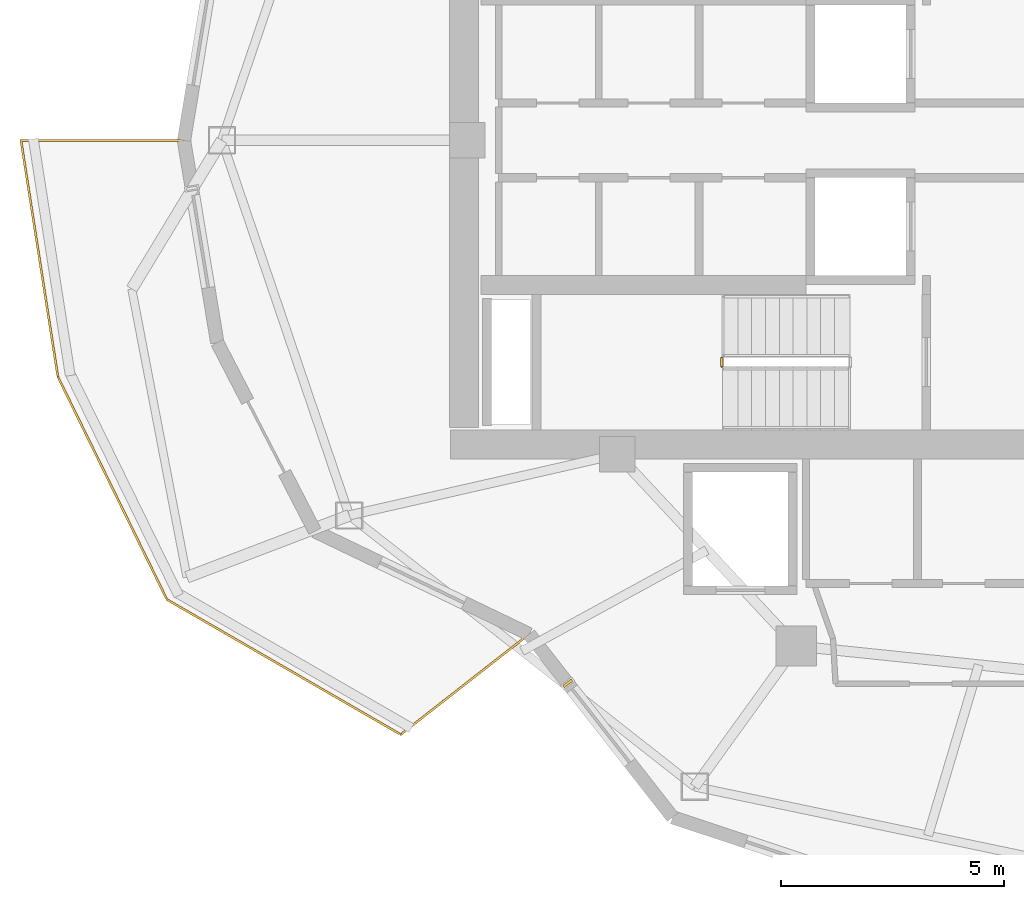
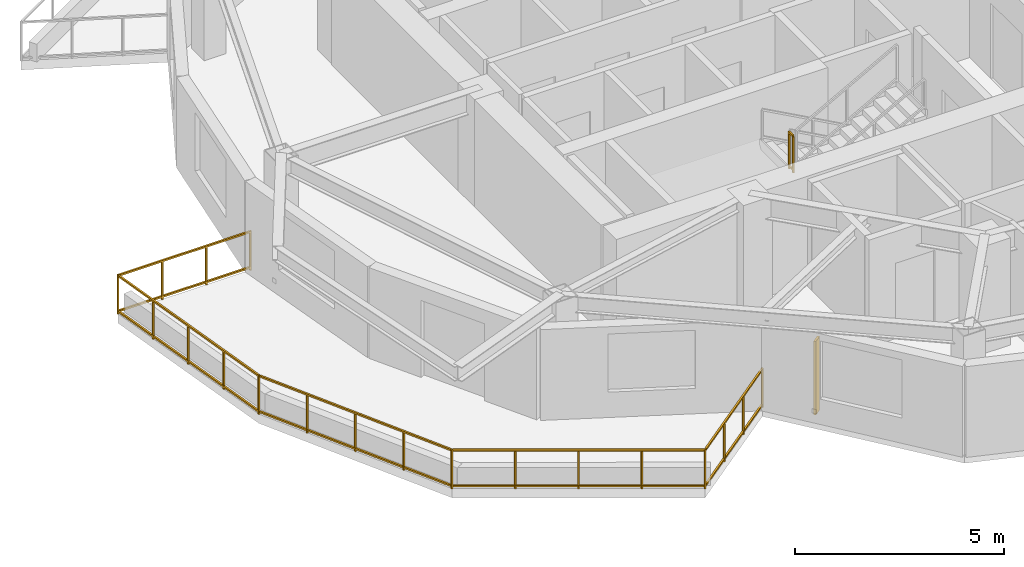
# One storey, part 10 of 14: 2 railings, 1 shading device.
"""IFC4 building model written with IfcOpenShell, lengths in metres."""

from ifc_helpers import new_model, si_unit, direction, frame, origin, origin_2d, place, context, subcontext, project, spatial, rectangle, extrude, material, type_object, element, save


model = new_model("IFC4")

# Units and contexts
model_context = context("Model", 3, precision=1e-05, world=origin(), true_north=direction((0.0, 1.0)))
body_context = subcontext(model_context, "Body", "Model", "MODEL_VIEW")
ifc_project = project(units=[si_unit("LENGTHUNIT", "METRE"), si_unit("AREAUNIT", "SQUARE_METRE"), si_unit("VOLUMEUNIT", "CUBIC_METRE"), si_unit("PLANEANGLEUNIT", "RADIAN"), si_unit("MASSUNIT", "GRAM", prefix="KILO")], contexts=[model_context])

# Site, building, storey
site_placement = place(None, origin())
site = spatial("IfcSite", under=ifc_project, at=site_placement, CompositionType="ELEMENT")
building_placement = place(site_placement, origin())
building = spatial("IfcBuilding", under=site, at=building_placement, Name="Kolvaren Gate Tower and Convention Centre", CompositionType="ELEMENT")
storey_placement = place(building_placement, frame((0.0, 0.0, 173.300048828125)))
storey = spatial("IfcBuildingStorey", under=building, at=storey_placement, Name="L45", CompositionType="ELEMENT", Elevation=173.300048828125)

# Railings
ifc_material_1 = material(Name="Brushed Stainless Steel Grade 316L", Category="steel")
railing_type = type_object("IfcRailingType", Name="ARCH-RL-GUARD-1150", PredefinedType="GUARDRAIL", material=ifc_material_1)
railing_1_placement = place(storey_placement, frame((20.260009765625, 22.1201171875, 1.699951171875)))
element("IfcRailing", 1, at=railing_1_placement, inside=storey, type_object=railing_type, Name="L45 ST-T2 stair guard 2", PredefinedType="GUARDRAIL", context=body_context, shape_type="SweptSolid", body=[
    extrude(rectangle(XDim=0.048095703125, YDim=0.048095703125, at=origin_2d()), frame((0.0, 0.0, 1.076171875), z_axis=(0.0, -1.0, 0.0), x_axis=(1.0, 0.0, 0.0)), (0.0, 0.0, 1.0), 0.2001953125),
    extrude(rectangle(XDim=0.048095703125, YDim=0.048095703125, at=origin_2d()), frame((0.0, 0.0, 0.083984375), z_axis=(0.0, -1.0, 0.0), x_axis=(1.0, 0.0, 0.0)), (0.0, 0.0, 1.0), 0.2001953125),
    extrude(rectangle(XDim=0.0419921875, YDim=0.0419921875, at=origin_2d()), origin(), (0.0, 0.0, 1.0), 1.050048828125),
    extrude(rectangle(XDim=0.0419921875, YDim=0.0419921875, at=origin_2d()), frame((0.0, -0.2001953125, 0.0)), (0.0, 0.0, 1.0), 1.050048828125),
])
railing_2_placement = place(storey_placement, frame((8.1875, 27.0, 0.0)))
element("IfcRailing", 2, at=railing_2_placement, inside=storey, type_object=railing_type, Name="Tower L45 Terrace Perimeter Guardrail GR-2", PredefinedType="GUARDRAIL", context=body_context, shape_type="SweptSolid", body=[
    extrude(rectangle(XDim=0.048095703125, YDim=0.048095703125, at=origin_2d()), frame((-0.028076171875, 0.0, 1.1259765625), z_axis=(-1.0, 0.0, 0.0), x_axis=(0.0, -1.0, 0.0)), (0.0, 0.0, 1.0), 3.603759765625),
    extrude(rectangle(XDim=0.048095703125, YDim=0.048095703125, at=origin_2d()), frame((-0.028076171875, 0.0, 0.083984375), z_axis=(-1.0, 0.0, 0.0), x_axis=(0.0, -1.0, 0.0)), (0.0, 0.0, 1.0), 3.603759765625),
    extrude(rectangle(XDim=0.048095703125, YDim=0.048095703125, at=origin_2d()), frame((-3.655517578125, -0.02783203125, 1.1259765625), z_axis=(0.154200861408, -0.988039520637, 0.0), x_axis=(0.988039520637, 0.154200861408, 0.0)), (0.0, 0.0, 1.0), 5.3173828125),
    extrude(rectangle(XDim=0.048095703125, YDim=0.048095703125, at=origin_2d()), frame((-3.655517578125, -0.02783203125, 0.083984375), z_axis=(0.154200861408, -0.988039520637, 0.0), x_axis=(0.988039520637, 0.154200861408, 0.0)), (0.0, 0.0, 1.0), 5.3173828125),
    extrude(rectangle(XDim=0.048095703125, YDim=0.048095703125, at=origin_2d()), frame((-2.81884765625, -5.33447265625, 1.1259765625), z_axis=(0.439655234701, -0.898166618507, 0.0), x_axis=(0.898166618507, 0.439655234701, 0.0)), (0.0, 0.0, 1.0), 5.51123046875),
    extrude(rectangle(XDim=0.048095703125, YDim=0.048095703125, at=origin_2d()), frame((-2.81884765625, -5.33447265625, 0.083984375), z_axis=(0.439655234701, -0.898166618507, 0.0), x_axis=(0.898166618507, 0.439655234701, 0.0)), (0.0, 0.0, 1.0), 5.51123046875),
    extrude(rectangle(XDim=0.048095703125, YDim=0.048095703125, at=origin_2d()), frame((-0.359375, -10.32373046875, 1.1259765625), z_axis=(0.866075571306, -0.499913097234, 0.0), x_axis=(0.499913097234, 0.866075571306, 0.0)), (0.0, 0.0, 1.0), 6.004150390625),
    extrude(rectangle(XDim=0.048095703125, YDim=0.048095703125, at=origin_2d()), frame((-0.359375, -10.32373046875, 0.083984375), z_axis=(0.866075571306, -0.499913097234, 0.0), x_axis=(0.499913097234, 0.866075571306, 0.0)), (0.0, 0.0, 1.0), 6.004150390625),
    extrude(rectangle(XDim=0.048095703125, YDim=0.048095703125, at=origin_2d()), frame((4.88720703125, -13.322021484375, 1.1259765625), z_axis=(0.787988976981, 0.61568934712, 0.0), x_axis=(-0.61568934712, 0.787988976981, 0.0)), (0.0, 0.0, 1.0), 3.60400390625),
    extrude(rectangle(XDim=0.048095703125, YDim=0.048095703125, at=origin_2d()), frame((4.88720703125, -13.322021484375, 0.083984375), z_axis=(0.787988976981, 0.61568934712, 0.0), x_axis=(-0.61568934712, 0.787988976981, 0.0)), (0.0, 0.0, 1.0), 3.60400390625),
    extrude(rectangle(XDim=0.0419921875, YDim=0.0419921875, at=origin_2d()), origin(), (0.0, 0.0, 1.0), 1.14990234375),
    extrude(rectangle(XDim=0.0419921875, YDim=0.0419921875, at=origin_2d()), frame((-3.659912109375, 0.0, 0.0)), (0.0, 0.0, 1.0), 1.14990234375),
    extrude(rectangle(XDim=0.0419921875, YDim=0.0419921875, at=origin_2d()), frame((-1.219970703125, 0.0, 0.0)), (0.0, 0.0, 1.0), 1.099853515625),
    extrude(rectangle(XDim=0.0419921875, YDim=0.0419921875, at=origin_2d()), frame((-2.43994140625, 0.0, 0.0)), (0.0, 0.0, 1.0), 1.099853515625),
    extrude(rectangle(XDim=0.0419921875, YDim=0.0419921875, at=origin_2d()), frame((-2.831298828125, -5.309326171875, 0.0)), (0.0, 0.0, 1.0), 1.14990234375),
    extrude(rectangle(XDim=0.0419921875, YDim=0.0419921875, at=origin_2d()), frame((-3.45263671875, -1.327392578125, 0.0)), (0.0, 0.0, 1.0), 1.099853515625),
    extrude(rectangle(XDim=0.0419921875, YDim=0.0419921875, at=origin_2d()), frame((-3.24560546875, -2.65478515625, 0.0)), (0.0, 0.0, 1.0), 1.099853515625),
    extrude(rectangle(XDim=0.0419921875, YDim=0.0419921875, at=origin_2d()), frame((-3.03857421875, -3.98193359375, 0.0)), (0.0, 0.0, 1.0), 1.099853515625),
    extrude(rectangle(XDim=0.0419921875, YDim=0.0419921875, at=origin_2d()), frame((-0.383544921875, -10.309814453125, 0.0)), (0.0, 0.0, 1.0), 1.14990234375),
    extrude(rectangle(XDim=0.0419921875, YDim=0.0419921875, at=origin_2d()), frame((-2.21923828125, -6.5595703125, 0.0)), (0.0, 0.0, 1.0), 1.099853515625),
    extrude(rectangle(XDim=0.0419921875, YDim=0.0419921875, at=origin_2d()), frame((-1.607421875, -7.8095703125, 0.0)), (0.0, 0.0, 1.0), 1.099853515625),
    extrude(rectangle(XDim=0.0419921875, YDim=0.0419921875, at=origin_2d()), frame((-0.99560546875, -9.0595703125, 0.0)), (0.0, 0.0, 1.0), 1.099853515625),
    extrude(rectangle(XDim=0.0419921875, YDim=0.0419921875, at=origin_2d()), frame((4.864990234375, -13.33935546875, 0.0)), (0.0, 0.0, 1.0), 1.14990234375),
    extrude(rectangle(XDim=0.0419921875, YDim=0.0419921875, at=origin_2d()), frame((0.9287109375, -11.067138671875, 0.0)), (0.0, 0.0, 1.0), 1.099853515625),
    extrude(rectangle(XDim=0.0419921875, YDim=0.0419921875, at=origin_2d()), frame((2.24072265625, -11.82470703125, 0.0)), (0.0, 0.0, 1.0), 1.099853515625),
    extrude(rectangle(XDim=0.0419921875, YDim=0.0419921875, at=origin_2d()), frame((3.552734375, -12.58203125, 0.0)), (0.0, 0.0, 1.0), 1.099853515625),
    extrude(rectangle(XDim=0.0419921875, YDim=0.0419921875, at=origin_2d()), frame((7.7490234375, -11.0859375, 0.0)), (0.0, 0.0, 1.0), 1.14990234375),
    extrude(rectangle(XDim=0.0419921875, YDim=0.0419921875, at=origin_2d()), frame((5.826416015625, -12.588134765625, 0.0)), (0.0, 0.0, 1.0), 1.099853515625),
    extrude(rectangle(XDim=0.0419921875, YDim=0.0419921875, at=origin_2d()), frame((6.78759765625, -11.837158203125, 0.0)), (0.0, 0.0, 1.0), 1.099853515625),
])

# Shading device
ifc_material_2 = material(Name="Kiln-Fired Bogota Terracotta Ceramic Louvre Profile", Category="masonry")
shading_device_type = type_object("IfcShadingDeviceType", Name="ARCH-SHD-FIN-180", PredefinedType="JALOUSIE", material=ifc_material_2)
shading_device_placement = place(storey_placement, frame((16.80078125, 14.81005859375, 0.219970703125), z_axis=(0.0, 0.0, 1.0), x_axis=(0.616434119112, -0.787406487651, 0.0)))
element("IfcShadingDevice", 3, at=shading_device_placement, inside=storey, type_object=shading_device_type, Name="Ceramic Vertical Brise-Soleil Fin FN-L45-15", PredefinedType="JALOUSIE", context=body_context, shape_type="SweptSolid", body=[
    extrude(rectangle(XDim=0.06005859375, YDim=0.239990234375, at=origin_2d()), origin(), (0.0, 0.0, 1.0), 2.14990234375),
])

save(model, "model.ifc")
